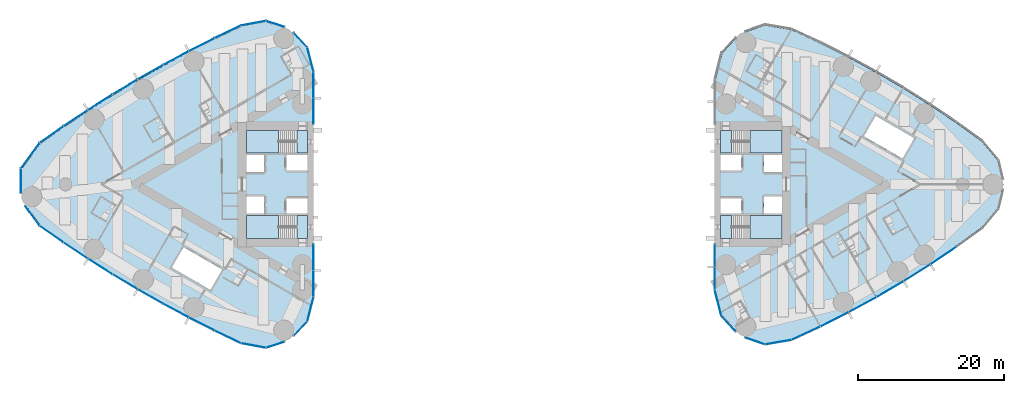
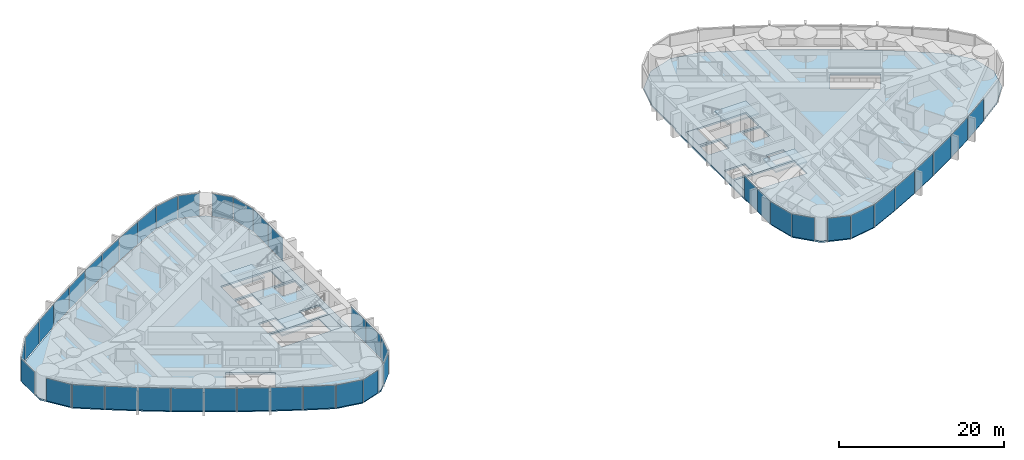
# One storey, part 10 of 19: 43 plates, 10 slabs, 10 elements without a shape of their own.
"""IFC4 building model written with IfcOpenShell, lengths in metres."""

from ifc_helpers import new_model, si_unit, direction, frame, origin, origin_2d, place, context, subcontext, project, spatial, polyline, rectangle, outline, extrude, material, layer, layer_set, type_object, element, aggregate, save


model = new_model("IFC4")

# Units and contexts
model_context = context("Model", 3, precision=1e-05, world=origin(), true_north=direction((0.0, 1.0)))
body_context = subcontext(model_context, "Body", "Model", "MODEL_VIEW")
ifc_project = project(units=[si_unit("LENGTHUNIT", "METRE"), si_unit("AREAUNIT", "SQUARE_METRE"), si_unit("VOLUMEUNIT", "CUBIC_METRE"), si_unit("PLANEANGLEUNIT", "RADIAN"), si_unit("MASSUNIT", "GRAM", prefix="KILO")], contexts=[model_context])

# Site, building, storey
site_placement = place(None, origin())
site = spatial("IfcSite", under=ifc_project, at=site_placement, CompositionType="ELEMENT")
building_placement = place(site_placement, origin())
building = spatial("IfcBuilding", under=site, at=building_placement, Name="Lancet Gate Hotel", CompositionType="ELEMENT")
storey_placement = place(building_placement, frame((0.0, 0.0, 194.800048828125)))
storey = spatial("IfcBuildingStorey", under=building, at=storey_placement, Name="L52", CompositionType="ELEMENT", Elevation=194.800048828125)

# Slabs
ifc_material_1 = material(Name="Concrete C50/60", Category="concrete")
ifc_layer_1 = layer(ifc_material_1, 0.25)
ifc_layer_set_1 = layer_set([ifc_layer_1], Name="Floor slab 250")
slab_type_1 = type_object("IfcSlabType", Name="Floor slab 250", PredefinedType="FLOOR", material=ifc_layer_set_1)
slab_1_placement = place(storey_placement, frame((0.0, 0.0, -0.25)))
element("IfcSlab", 1, at=slab_1_placement, inside=storey, type_object=slab_type_1, Name="T1 L52 floor slab", PredefinedType="FLOOR", context=body_context, shape_type="SweptSolid", body=[
    extrude(outline(polyline([(-27.5, 8.60009765625), (-27.6201171875, 8.60009765625), (-27.6201171875, 15.408203125), (-28.46923828125, 18.7265625), (-30.797607421875, 21.217529296875), (-34.0361328125, 22.283935546875), (-37.403564453125, 21.660400390625), (-40.996826171875, 19.9453125), (-44.561767578125, 18.139404296875), (-48.0830078125, 16.250244140625), (-51.558837890625, 14.27880859375), (-54.987548828125, 12.22607421875), (-58.366943359375, 10.09326171875), (-61.695068359375, 7.881591796875), (-64.955322265625, 5.602783203125), (-67.49560546875, 2.138427734375), (-67.49560546875, -2.138427734375), (-64.955322265625, -5.602783203125), (-61.695068359375, -7.881591796875), (-58.366943359375, -10.09326171875), (-54.987548828125, -12.22607421875), (-51.558837890625, -14.27880859375), (-48.0830078125, -16.250244140625), (-44.561767578125, -18.139404296875), (-40.996826171875, -19.9453125), (-37.403564453125, -21.660400390625), (-34.0361328125, -22.283935546875), (-30.797607421875, -21.217529296875), (-28.46923828125, -18.7265625), (-27.6201171875, -15.408203125), (-27.6201171875, -8.60009765625), (-27.5, -8.60009765625), (-27.5, -8.199951171875), (-27.5, 8.199951171875), (-27.5, 8.60009765625)]), holes=[polyline([(-36.699951171875, 7.39990234375), (-36.699951171875, 4.300048828125), (-28.300048828125, 4.300048828125), (-28.300048828125, 7.39990234375), (-36.699951171875, 7.39990234375)]), polyline([(-28.300048828125, 4.0), (-31.199951171875, 4.0), (-31.199951171875, 1.89990234375), (-28.300048828125, 1.89990234375), (-28.300048828125, 4.0)]), polyline([(-34.25, 4.0), (-36.699951171875, 4.0), (-36.699951171875, 1.64990234375), (-34.25, 1.64990234375), (-34.25, 4.0)]), polyline([(-36.699951171875, -1.64990234375), (-36.699951171875, -4.0), (-34.25, -4.0), (-34.25, -1.64990234375), (-36.699951171875, -1.64990234375)]), polyline([(-28.300048828125, -1.89990234375), (-31.199951171875, -1.89990234375), (-31.199951171875, -4.0), (-28.300048828125, -4.0), (-28.300048828125, -1.89990234375)]), polyline([(-28.300048828125, -4.300048828125), (-36.699951171875, -4.300048828125), (-36.699951171875, -7.39990234375), (-28.300048828125, -7.39990234375), (-28.300048828125, -4.300048828125)]), polyline([(-45.319091796875, -8.631103515625), (-46.9189453125, -11.402099609375), (-41.635986328125, -14.451904296875), (-40.035888671875, -11.680908203125), (-45.319091796875, -8.631103515625)])]), origin(), (0.0, 0.0, 1.0), 0.25),
])
slab_2_placement = place(storey_placement, frame((0.0, 0.0, -0.25)))
element("IfcSlab", 2, at=slab_2_placement, inside=storey, type_object=slab_type_1, Name="T2 L52 floor slab", PredefinedType="FLOOR", context=body_context, shape_type="SweptSolid", body=[
    extrude(outline(polyline([(27.5, -8.60009765625), (27.6201171875, -8.60009765625), (27.6201171875, -14.450439453125), (28.517822265625, -17.9853515625), (30.98291015625, -20.65185546875), (34.421875, -21.819091796875), (38.01513671875, -21.201171875), (41.9296875, -19.383056640625), (45.796875, -17.435302734375), (49.6005859375, -15.36572265625), (53.336669921875, -13.1767578125), (57.00146484375, -10.87060546875), (60.591552734375, -8.44921875), (64.092041015625, -5.9228515625), (66.283447265625, -3.307373046875), (67.06640625, 0.0), (66.283447265625, 3.307373046875), (64.092041015625, 5.9228515625), (60.591552734375, 8.44921875), (57.00146484375, 10.87060546875), (53.336669921875, 13.1767578125), (49.6005859375, 15.36572265625), (45.796875, 17.435302734375), (41.9296875, 19.383056640625), (38.01513671875, 21.201171875), (34.421875, 21.819091796875), (30.98291015625, 20.65185546875), (28.517822265625, 17.9853515625), (27.6201171875, 14.450439453125), (27.6201171875, 8.60009765625), (27.5, 8.60009765625), (27.5, 8.199951171875), (27.5, -8.199951171875), (27.5, -8.60009765625)]), holes=[polyline([(36.699951171875, -7.39990234375), (36.699951171875, -4.300048828125), (28.300048828125, -4.300048828125), (28.300048828125, -7.39990234375), (36.699951171875, -7.39990234375)]), polyline([(28.300048828125, -4.0), (31.199951171875, -4.0), (31.199951171875, -1.89990234375), (28.300048828125, -1.89990234375), (28.300048828125, -4.0)]), polyline([(34.25, -4.0), (36.699951171875, -4.0), (36.699951171875, -1.64990234375), (34.25, -1.64990234375), (34.25, -4.0)]), polyline([(36.699951171875, 1.64990234375), (36.699951171875, 4.0), (34.25, 4.0), (34.25, 1.64990234375), (36.699951171875, 1.64990234375)]), polyline([(28.300048828125, 1.89990234375), (31.199951171875, 1.89990234375), (31.199951171875, 4.0), (28.300048828125, 4.0), (28.300048828125, 1.89990234375)]), polyline([(28.300048828125, 4.300048828125), (36.699951171875, 4.300048828125), (36.699951171875, 7.39990234375), (28.300048828125, 7.39990234375), (28.300048828125, 4.300048828125)]), polyline([(53.242919921875, 3.555908203125), (54.843017578125, 6.326904296875), (49.56103515625, 9.376953125), (47.9609375, 6.60595703125), (53.242919921875, 3.555908203125)])]), origin(), (0.0, 0.0, 1.0), 0.25),
])

# Stair, slabs
ifc_material_2 = material(Name="Exit stair 20 risers 1500")
stair_type = type_object("IfcStairType", Name="Exit stair 20 risers 1500", PredefinedType="HALF_TURN_STAIR", material=ifc_material_2)
stair_1_placement = place(storey_placement, origin())
stair_1 = element("IfcStair", 3, at=stair_1_placement, inside=storey, type_object=stair_type, Name="T1 stair 1 L52", PredefinedType="HALF_TURN_STAIR")
ifc_material_3 = material(Name="Concrete C40/50", Category="concrete")
ifc_layer_2 = layer(ifc_material_3, 0.199951171875)
ifc_layer_set_2 = layer_set([ifc_layer_2], Name="Stair landing 200")
slab_type_2 = type_object("IfcSlabType", Name="Stair landing 200", PredefinedType="LANDING", material=ifc_layer_set_2)
slab_3_placement = place(storey_placement, frame((0.0, 0.0, -0.199951171875)))
slab_3 = element("IfcSlab", 4, at=slab_3_placement, type_object=slab_type_2, Name="ST1 landing 1", PredefinedType="LANDING", context=body_context, shape_type="SweptSolid", body=[
    extrude(outline(polyline([(-28.300048828125, 7.39990234375), (-29.800048828125, 7.39990234375), (-29.800048828125, 4.300048828125), (-28.300048828125, 4.300048828125), (-28.300048828125, 7.39990234375)])), origin(), (0.0, 0.0, 1.0), 0.199951171875),
])
slab_4_placement = place(storey_placement, frame((0.0, 0.0, 1.550048828125)))
slab_4 = element("IfcSlab", 5, at=slab_4_placement, type_object=slab_type_2, Name="ST1 landing 2", PredefinedType="LANDING", context=body_context, shape_type="SweptSolid", body=[
    extrude(outline(polyline([(-32.320068359375, 7.39990234375), (-36.699951171875, 7.39990234375), (-36.699951171875, 4.300048828125), (-32.320068359375, 4.300048828125), (-32.320068359375, 7.39990234375)])), origin(), (0.0, 0.0, 1.0), 0.199951171875),
])
aggregate(stair_1, [slab_3, slab_4])

stair_2_placement = place(storey_placement, origin())
stair_2 = element("IfcStair", 6, at=stair_2_placement, inside=storey, type_object=stair_type, Name="T1 stair 2 L52", PredefinedType="HALF_TURN_STAIR")
slab_5_placement = place(storey_placement, frame((0.0, 0.0, -0.199951171875)))
slab_5 = element("IfcSlab", 7, at=slab_5_placement, type_object=slab_type_2, Name="ST2 landing 1", PredefinedType="LANDING", context=body_context, shape_type="SweptSolid", body=[
    extrude(outline(polyline([(-28.300048828125, -4.300048828125), (-29.800048828125, -4.300048828125), (-29.800048828125, -7.39990234375), (-28.300048828125, -7.39990234375), (-28.300048828125, -4.300048828125)])), origin(), (0.0, 0.0, 1.0), 0.199951171875),
])
slab_6_placement = place(storey_placement, frame((0.0, 0.0, 1.550048828125)))
slab_6 = element("IfcSlab", 8, at=slab_6_placement, type_object=slab_type_2, Name="ST2 landing 2", PredefinedType="LANDING", context=body_context, shape_type="SweptSolid", body=[
    extrude(outline(polyline([(-32.320068359375, -4.300048828125), (-36.699951171875, -4.300048828125), (-36.699951171875, -7.39990234375), (-32.320068359375, -7.39990234375), (-32.320068359375, -4.300048828125)])), origin(), (0.0, 0.0, 1.0), 0.199951171875),
])
aggregate(stair_2, [slab_5, slab_6])

stair_3_placement = place(storey_placement, origin())
stair_3 = element("IfcStair", 9, at=stair_3_placement, inside=storey, type_object=stair_type, Name="T2 stair 1 L52", PredefinedType="HALF_TURN_STAIR")
slab_7_placement = place(storey_placement, frame((0.0, 0.0, -0.199951171875)))
slab_7 = element("IfcSlab", 10, at=slab_7_placement, type_object=slab_type_2, Name="ST3 landing 1", PredefinedType="LANDING", context=body_context, shape_type="SweptSolid", body=[
    extrude(outline(polyline([(28.300048828125, -7.39990234375), (29.800048828125, -7.39990234375), (29.800048828125, -4.300048828125), (28.300048828125, -4.300048828125), (28.300048828125, -7.39990234375)])), origin(), (0.0, 0.0, 1.0), 0.199951171875),
])
slab_8_placement = place(storey_placement, frame((0.0, 0.0, 1.550048828125)))
slab_8 = element("IfcSlab", 11, at=slab_8_placement, type_object=slab_type_2, Name="ST3 landing 2", PredefinedType="LANDING", context=body_context, shape_type="SweptSolid", body=[
    extrude(outline(polyline([(32.320068359375, -7.39990234375), (36.699951171875, -7.39990234375), (36.699951171875, -4.300048828125), (32.320068359375, -4.300048828125), (32.320068359375, -7.39990234375)])), origin(), (0.0, 0.0, 1.0), 0.199951171875),
])
aggregate(stair_3, [slab_7, slab_8])

stair_4_placement = place(storey_placement, origin())
stair_4 = element("IfcStair", 12, at=stair_4_placement, inside=storey, type_object=stair_type, Name="T2 stair 2 L52", PredefinedType="HALF_TURN_STAIR")
slab_9_placement = place(storey_placement, frame((0.0, 0.0, -0.199951171875)))
slab_9 = element("IfcSlab", 13, at=slab_9_placement, type_object=slab_type_2, Name="ST4 landing 1", PredefinedType="LANDING", context=body_context, shape_type="SweptSolid", body=[
    extrude(outline(polyline([(28.300048828125, 4.300048828125), (29.800048828125, 4.300048828125), (29.800048828125, 7.39990234375), (28.300048828125, 7.39990234375), (28.300048828125, 4.300048828125)])), origin(), (0.0, 0.0, 1.0), 0.199951171875),
])
slab_10_placement = place(storey_placement, frame((0.0, 0.0, 1.550048828125)))
slab_10 = element("IfcSlab", 14, at=slab_10_placement, type_object=slab_type_2, Name="ST4 landing 2", PredefinedType="LANDING", context=body_context, shape_type="SweptSolid", body=[
    extrude(outline(polyline([(32.320068359375, 4.300048828125), (36.699951171875, 4.300048828125), (36.699951171875, 7.39990234375), (32.320068359375, 7.39990234375), (32.320068359375, 4.300048828125)])), origin(), (0.0, 0.0, 1.0), 0.199951171875),
])
aggregate(stair_4, [slab_9, slab_10])

# Curtain wall, plates
ifc_material_4 = material(Name="Aluminium curtain wall", Category="aluminium")
curtain_wall_type = type_object("IfcCurtainWallType", Name="Tower unitised curtain wall", PredefinedType="USERDEFINED", material=ifc_material_4)
curtain_wall_1_placement = place(storey_placement, origin())
curtain_wall_1 = element("IfcCurtainWall", 15, at=curtain_wall_1_placement, inside=storey, type_object=curtain_wall_type, Name="T1 L52 curtain wall 1", ObjectType="UNITISED CURTAIN WALL", PredefinedType="USERDEFINED")
ifc_material_5 = material(Name="Glass double glazed unit 8-16-6", Category="glass")
ifc_layer_3 = layer(ifc_material_5, 0.030029296875)
ifc_layer_set_3 = layer_set([ifc_layer_3], Name="Vision panel double glazed")
plate_type = type_object("IfcPlateType", Name="Vision panel double glazed", PredefinedType="CURTAIN_PANEL", material=ifc_layer_set_3)
plate_1_placement = place(storey_placement, frame((-27.5, 10.005859375, 0.0), z_axis=(0.0, 0.0, 1.0), x_axis=(0.0, 1.0, 0.0)))
plate_1 = element("IfcPlate", 16, at=plate_1_placement, type_object=plate_type, Name="T1 L52 curtain wall 1 panel 1", PredefinedType="CURTAIN_PANEL", context=body_context, shape_type="SweptSolid", body=[
    extrude(rectangle(XDim=3.546630859375, YDim=0.030029296875, at=origin_2d()), origin(), (0.0, 0.0, 1.0), 3.35009765625),
])
plate_2_placement = place(storey_placement, frame((-27.5, 13.617431640625, 0.0), z_axis=(0.0, 0.0, 1.0), x_axis=(0.0, 1.0, 0.0)))
plate_2 = element("IfcPlate", 17, at=plate_2_placement, type_object=plate_type, Name="T1 L52 curtain wall 1 panel 2", PredefinedType="CURTAIN_PANEL", context=body_context, shape_type="SweptSolid", body=[
    extrude(rectangle(XDim=3.546630859375, YDim=0.030029296875, at=origin_2d()), origin(), (0.0, 0.0, 1.0), 3.35009765625),
])
plate_3_placement = place(storey_placement, frame((-27.930419921875, 17.104736328125, 0.0), z_axis=(0.0, 0.0, 1.0), x_axis=(-0.247936754654, 0.968776220647, 0.0)))
plate_3 = element("IfcPlate", 18, at=plate_3_placement, type_object=plate_type, Name="T1 L52 curtain wall 1 panel 3", PredefinedType="CURTAIN_PANEL", context=body_context, shape_type="SweptSolid", body=[
    extrude(rectangle(XDim=3.406005859375, YDim=0.030029296875, at=origin_2d()), origin(), (0.0, 0.0, 1.0), 3.35009765625),
])
plate_4_placement = place(storey_placement, frame((-29.28564453125, 19.77587890625, 0.0), z_axis=(0.0, 0.0, 1.0), x_axis=(-0.682844962172, 0.730563315282, 0.0)))
plate_4 = element("IfcPlate", 19, at=plate_4_placement, type_object=plate_type, Name="T1 L52 curtain wall 1 panel 4", PredefinedType="CURTAIN_PANEL", context=body_context, shape_type="SweptSolid", body=[
    extrude(rectangle(XDim=2.64453125, YDim=0.030029296875, at=origin_2d()), origin(), (0.0, 0.0, 1.0), 3.35009765625),
])
aggregate(curtain_wall_1, [plate_1, plate_2, plate_3, plate_4])

curtain_wall_2_placement = place(storey_placement, origin())
curtain_wall_2 = element("IfcCurtainWall", 20, at=curtain_wall_2_placement, inside=storey, type_object=curtain_wall_type, Name="T1 L52 curtain wall 2", ObjectType="UNITISED CURTAIN WALL", PredefinedType="USERDEFINED")
plate_5_placement = place(storey_placement, frame((-32.740234375, 21.983642578125, 0.0), z_axis=(0.0, 0.0, 1.0), x_axis=(-0.949848055084, 0.312711803827, 0.0)))
plate_5 = element("IfcPlate", 21, at=plate_5_placement, type_object=plate_type, Name="T1 L52 curtain wall 2 panel 1", PredefinedType="CURTAIN_PANEL", context=body_context, shape_type="SweptSolid", body=[
    extrude(rectangle(XDim=2.64599609375, YDim=0.030029296875, at=origin_2d()), origin(), (0.0, 0.0, 1.0), 3.35009765625),
])
plate_6_placement = place(storey_placement, frame((-35.734375, 22.091552734375, 0.0), z_axis=(0.0, 0.0, 1.0), x_axis=(-0.983292499426, -0.182032581075, 0.0)))
plate_6 = element("IfcPlate", 22, at=plate_6_placement, type_object=plate_type, Name="T1 L52 curtain wall 2 panel 2", PredefinedType="CURTAIN_PANEL", context=body_context, shape_type="SweptSolid", body=[
    extrude(rectangle(XDim=3.406005859375, YDim=0.030029296875, at=origin_2d()), origin(), (0.0, 0.0, 1.0), 3.35009765625),
])
plate_7_placement = place(storey_placement, frame((-39.245361328125, 20.914306640625, 0.0), z_axis=(0.0, 0.0, 1.0), x_axis=(-0.902453530018, -0.430787216799, 0.0)))
plate_7 = element("IfcPlate", 23, at=plate_7_placement, type_object=plate_type, Name="T1 L52 curtain wall 2 panel 3", PredefinedType="CURTAIN_PANEL", context=body_context, shape_type="SweptSolid", body=[
    extrude(rectangle(XDim=3.933837890625, YDim=0.030029296875, at=origin_2d()), origin(), (0.0, 0.0, 1.0), 3.35009765625),
])
plate_8_placement = place(storey_placement, frame((-42.83349609375, 19.1494140625, 0.0), z_axis=(0.0, 0.0, 1.0), x_axis=(-0.892071119911, -0.451895028762, 0.0)))
plate_8 = element("IfcPlate", 24, at=plate_8_placement, type_object=plate_type, Name="T1 L52 curtain wall 2 panel 4", PredefinedType="CURTAIN_PANEL", context=body_context, shape_type="SweptSolid", body=[
    extrude(rectangle(XDim=3.933837890625, YDim=0.030029296875, at=origin_2d()), origin(), (0.0, 0.0, 1.0), 3.35009765625),
])
plate_9_placement = place(storey_placement, frame((-46.379150390625, 17.300537109375, 0.0), z_axis=(0.0, 0.0, 1.0), x_axis=(-0.881195096384, -0.472752791751, 0.0)))
plate_9 = element("IfcPlate", 25, at=plate_9_placement, type_object=plate_type, Name="T1 L52 curtain wall 2 panel 5", PredefinedType="CURTAIN_PANEL", context=body_context, shape_type="SweptSolid", body=[
    extrude(rectangle(XDim=3.933837890625, YDim=0.030029296875, at=origin_2d()), origin(), (0.0, 0.0, 1.0), 3.35009765625),
])
plate_10_placement = place(storey_placement, frame((-49.880126953125, 15.368896484375, 0.0), z_axis=(0.0, 0.0, 1.0), x_axis=(-0.869831477496, -0.493348964484, 0.0)))
plate_10 = element("IfcPlate", 26, at=plate_10_placement, type_object=plate_type, Name="T1 L52 curtain wall 2 panel 6", PredefinedType="CURTAIN_PANEL", context=body_context, shape_type="SweptSolid", body=[
    extrude(rectangle(XDim=3.933837890625, YDim=0.030029296875, at=origin_2d()), origin(), (0.0, 0.0, 1.0), 3.35009765625),
])
plate_11_placement = place(storey_placement, frame((-53.3349609375, 13.35546875, 0.0), z_axis=(0.0, 0.0, 1.0), x_axis=(-0.857986551132, -0.51367215038, 0.0)))
plate_11 = element("IfcPlate", 27, at=plate_11_placement, type_object=plate_type, Name="T1 L52 curtain wall 2 panel 7", PredefinedType="CURTAIN_PANEL", context=body_context, shape_type="SweptSolid", body=[
    extrude(rectangle(XDim=3.933837890625, YDim=0.030029296875, at=origin_2d()), origin(), (0.0, 0.0, 1.0), 3.35009765625),
])
plate_12_placement = place(storey_placement, frame((-56.7412109375, 11.26123046875, 0.0), z_axis=(0.0, 0.0, 1.0), x_axis=(-0.845666871497, -0.533711103925, 0.0)))
plate_12 = element("IfcPlate", 28, at=plate_12_placement, type_object=plate_type, Name="T1 L52 curtain wall 2 panel 8", PredefinedType="CURTAIN_PANEL", context=body_context, shape_type="SweptSolid", body=[
    extrude(rectangle(XDim=3.933837890625, YDim=0.030029296875, at=origin_2d()), origin(), (0.0, 0.0, 1.0), 3.35009765625),
])
plate_13_placement = place(storey_placement, frame((-60.097412109375, 9.08740234375, 0.0), z_axis=(0.0, 0.0, 1.0), x_axis=(-0.832879255498, -0.553454736867, 0.0)))
plate_13 = element("IfcPlate", 29, at=plate_13_placement, type_object=plate_type, Name="T1 L52 curtain wall 2 panel 9", PredefinedType="CURTAIN_PANEL", context=body_context, shape_type="SweptSolid", body=[
    extrude(rectangle(XDim=3.933837890625, YDim=0.030029296875, at=origin_2d()), origin(), (0.0, 0.0, 1.0), 3.35009765625),
])
plate_14_placement = place(storey_placement, frame((-63.401611328125, 6.835205078125, 0.0), z_axis=(0.0, 0.0, 1.0), x_axis=(-0.819630778943, -0.572892124409, 0.0)))
plate_14 = element("IfcPlate", 30, at=plate_14_placement, type_object=plate_type, Name="T1 L52 curtain wall 2 panel 10", PredefinedType="CURTAIN_PANEL", context=body_context, shape_type="SweptSolid", body=[
    extrude(rectangle(XDim=3.933837890625, YDim=0.030029296875, at=origin_2d()), origin(), (0.0, 0.0, 1.0), 3.35009765625),
])
plate_15_placement = place(storey_placement, frame((-66.328125, 3.933837890625, 0.0), z_axis=(0.0, 0.0, 1.0), x_axis=(-0.591299785592, -0.806451835858, 0.0)))
plate_15 = element("IfcPlate", 31, at=plate_15_placement, type_object=plate_type, Name="T1 L52 curtain wall 2 panel 11", PredefinedType="CURTAIN_PANEL", context=body_context, shape_type="SweptSolid", body=[
    extrude(rectangle(XDim=4.290283203125, YDim=0.030029296875, at=origin_2d()), origin(), (0.0, 0.0, 1.0), 3.35009765625),
])
plate_16_placement = place(storey_placement, frame((-67.61572265625, 0.478515625, 0.0), z_axis=(0.0, 0.0, 1.0), x_axis=(0.0, -1.0, 0.0)))
plate_16 = element("IfcPlate", 32, at=plate_16_placement, type_object=plate_type, Name="T1 L52 curtain wall 2 panel 12", PredefinedType="CURTAIN_PANEL", context=body_context, shape_type="SweptSolid", body=[
    extrude(rectangle(XDim=3.333251953125, YDim=0.030029296875, at=origin_2d()), origin(), (0.0, 0.0, 1.0), 3.35009765625),
])
aggregate(curtain_wall_2, [plate_5, plate_6, plate_7, plate_8, plate_9, plate_10, plate_11, plate_12, plate_13, plate_14, plate_15, plate_16])

curtain_wall_3_placement = place(storey_placement, origin())
curtain_wall_3 = element("IfcCurtainWall", 33, at=curtain_wall_3_placement, inside=storey, type_object=curtain_wall_type, Name="T1 L52 curtain wall 3", ObjectType="UNITISED CURTAIN WALL", PredefinedType="USERDEFINED")
plate_17_placement = place(storey_placement, frame((-66.04541015625, -4.3193359375, 0.0), z_axis=(0.0, 0.0, 1.0), x_axis=(0.591299785592, -0.806451835858, 0.0)))
plate_17 = element("IfcPlate", 34, at=plate_17_placement, type_object=plate_type, Name="T1 L52 curtain wall 3 panel 1", PredefinedType="CURTAIN_PANEL", context=body_context, shape_type="SweptSolid", body=[
    extrude(rectangle(XDim=3.334228515625, YDim=0.030029296875, at=origin_2d()), origin(), (0.0, 0.0, 1.0), 3.35009765625),
])
plate_18_placement = place(storey_placement, frame((-63.401611328125, -6.835205078125, 0.0), z_axis=(0.0, 0.0, 1.0), x_axis=(0.819630778943, -0.572892124409, 0.0)))
plate_18 = element("IfcPlate", 35, at=plate_18_placement, type_object=plate_type, Name="T1 L52 curtain wall 3 panel 2", PredefinedType="CURTAIN_PANEL", context=body_context, shape_type="SweptSolid", body=[
    extrude(rectangle(XDim=3.933837890625, YDim=0.030029296875, at=origin_2d()), origin(), (0.0, 0.0, 1.0), 3.35009765625),
])
plate_19_placement = place(storey_placement, frame((-60.097412109375, -9.08740234375, 0.0), z_axis=(0.0, 0.0, 1.0), x_axis=(0.832879255498, -0.553454736867, 0.0)))
plate_19 = element("IfcPlate", 36, at=plate_19_placement, type_object=plate_type, Name="T1 L52 curtain wall 3 panel 3", PredefinedType="CURTAIN_PANEL", context=body_context, shape_type="SweptSolid", body=[
    extrude(rectangle(XDim=3.933837890625, YDim=0.030029296875, at=origin_2d()), origin(), (0.0, 0.0, 1.0), 3.35009765625),
])
plate_20_placement = place(storey_placement, frame((-56.7412109375, -11.26123046875, 0.0), z_axis=(0.0, 0.0, 1.0), x_axis=(0.845666871497, -0.533711103925, 0.0)))
plate_20 = element("IfcPlate", 37, at=plate_20_placement, type_object=plate_type, Name="T1 L52 curtain wall 3 panel 4", PredefinedType="CURTAIN_PANEL", context=body_context, shape_type="SweptSolid", body=[
    extrude(rectangle(XDim=3.933837890625, YDim=0.030029296875, at=origin_2d()), origin(), (0.0, 0.0, 1.0), 3.35009765625),
])
plate_21_placement = place(storey_placement, frame((-53.3349609375, -13.35546875, 0.0), z_axis=(0.0, 0.0, 1.0), x_axis=(0.857986551132, -0.51367215038, 0.0)))
plate_21 = element("IfcPlate", 38, at=plate_21_placement, type_object=plate_type, Name="T1 L52 curtain wall 3 panel 5", PredefinedType="CURTAIN_PANEL", context=body_context, shape_type="SweptSolid", body=[
    extrude(rectangle(XDim=3.933837890625, YDim=0.030029296875, at=origin_2d()), origin(), (0.0, 0.0, 1.0), 3.35009765625),
])
plate_22_placement = place(storey_placement, frame((-49.880126953125, -15.368896484375, 0.0), z_axis=(0.0, 0.0, 1.0), x_axis=(0.869831477496, -0.493348964484, 0.0)))
plate_22 = element("IfcPlate", 39, at=plate_22_placement, type_object=plate_type, Name="T1 L52 curtain wall 3 panel 6", PredefinedType="CURTAIN_PANEL", context=body_context, shape_type="SweptSolid", body=[
    extrude(rectangle(XDim=3.933837890625, YDim=0.030029296875, at=origin_2d()), origin(), (0.0, 0.0, 1.0), 3.35009765625),
])
plate_23_placement = place(storey_placement, frame((-46.379150390625, -17.300537109375, 0.0), z_axis=(0.0, 0.0, 1.0), x_axis=(0.881195096384, -0.472752791751, 0.0)))
plate_23 = element("IfcPlate", 40, at=plate_23_placement, type_object=plate_type, Name="T1 L52 curtain wall 3 panel 7", PredefinedType="CURTAIN_PANEL", context=body_context, shape_type="SweptSolid", body=[
    extrude(rectangle(XDim=3.933837890625, YDim=0.030029296875, at=origin_2d()), origin(), (0.0, 0.0, 1.0), 3.35009765625),
])
plate_24_placement = place(storey_placement, frame((-42.83349609375, -19.1494140625, 0.0), z_axis=(0.0, 0.0, 1.0), x_axis=(0.892071119911, -0.451895028762, 0.0)))
plate_24 = element("IfcPlate", 41, at=plate_24_placement, type_object=plate_type, Name="T1 L52 curtain wall 3 panel 8", PredefinedType="CURTAIN_PANEL", context=body_context, shape_type="SweptSolid", body=[
    extrude(rectangle(XDim=3.933837890625, YDim=0.030029296875, at=origin_2d()), origin(), (0.0, 0.0, 1.0), 3.35009765625),
])
plate_25_placement = place(storey_placement, frame((-39.245361328125, -20.914306640625, 0.0), z_axis=(0.0, 0.0, 1.0), x_axis=(0.902453530018, -0.430787216799, 0.0)))
plate_25 = element("IfcPlate", 42, at=plate_25_placement, type_object=plate_type, Name="T1 L52 curtain wall 3 panel 9", PredefinedType="CURTAIN_PANEL", context=body_context, shape_type="SweptSolid", body=[
    extrude(rectangle(XDim=3.933837890625, YDim=0.030029296875, at=origin_2d()), origin(), (0.0, 0.0, 1.0), 3.35009765625),
])
plate_26_placement = place(storey_placement, frame((-35.734375, -22.091552734375, 0.0), z_axis=(0.0, 0.0, 1.0), x_axis=(0.983292499426, -0.182032581075, 0.0)))
plate_26 = element("IfcPlate", 43, at=plate_26_placement, type_object=plate_type, Name="T1 L52 curtain wall 3 panel 10", PredefinedType="CURTAIN_PANEL", context=body_context, shape_type="SweptSolid", body=[
    extrude(rectangle(XDim=3.406005859375, YDim=0.030029296875, at=origin_2d()), origin(), (0.0, 0.0, 1.0), 3.35009765625),
])
plate_27_placement = place(storey_placement, frame((-32.740234375, -21.983642578125, 0.0), z_axis=(0.0, 0.0, 1.0), x_axis=(0.949848055084, 0.312711803827, 0.0)))
plate_27 = element("IfcPlate", 44, at=plate_27_placement, type_object=plate_type, Name="T1 L52 curtain wall 3 panel 11", PredefinedType="CURTAIN_PANEL", context=body_context, shape_type="SweptSolid", body=[
    extrude(rectangle(XDim=2.64599609375, YDim=0.030029296875, at=origin_2d()), origin(), (0.0, 0.0, 1.0), 3.35009765625),
])
aggregate(curtain_wall_3, [plate_17, plate_18, plate_19, plate_20, plate_21, plate_22, plate_23, plate_24, plate_25, plate_26, plate_27])

curtain_wall_4_placement = place(storey_placement, origin())
curtain_wall_4 = element("IfcCurtainWall", 45, at=curtain_wall_4_placement, inside=storey, type_object=curtain_wall_type, Name="T1 L52 curtain wall 4", ObjectType="UNITISED CURTAIN WALL", PredefinedType="USERDEFINED")
plate_28_placement = place(storey_placement, frame((-29.28564453125, -19.77587890625, 0.0), z_axis=(0.0, 0.0, 1.0), x_axis=(0.682844962172, 0.730563315282, 0.0)))
plate_28 = element("IfcPlate", 46, at=plate_28_placement, type_object=plate_type, Name="T1 L52 curtain wall 4 panel 1", PredefinedType="CURTAIN_PANEL", context=body_context, shape_type="SweptSolid", body=[
    extrude(rectangle(XDim=2.64453125, YDim=0.030029296875, at=origin_2d()), origin(), (0.0, 0.0, 1.0), 3.35009765625),
])
plate_29_placement = place(storey_placement, frame((-27.930419921875, -17.104736328125, 0.0), z_axis=(0.0, 0.0, 1.0), x_axis=(0.247936754654, 0.968776220647, 0.0)))
plate_29 = element("IfcPlate", 47, at=plate_29_placement, type_object=plate_type, Name="T1 L52 curtain wall 4 panel 2", PredefinedType="CURTAIN_PANEL", context=body_context, shape_type="SweptSolid", body=[
    extrude(rectangle(XDim=3.406005859375, YDim=0.030029296875, at=origin_2d()), origin(), (0.0, 0.0, 1.0), 3.35009765625),
])
plate_30_placement = place(storey_placement, frame((-27.5, -13.617431640625, 0.0), z_axis=(0.0, 0.0, 1.0), x_axis=(0.0, 1.0, 0.0)))
plate_30 = element("IfcPlate", 48, at=plate_30_placement, type_object=plate_type, Name="T1 L52 curtain wall 4 panel 3", PredefinedType="CURTAIN_PANEL", context=body_context, shape_type="SweptSolid", body=[
    extrude(rectangle(XDim=3.546630859375, YDim=0.030029296875, at=origin_2d()), origin(), (0.0, 0.0, 1.0), 3.35009765625),
])
plate_31_placement = place(storey_placement, frame((-27.5, -10.005859375, 0.0), z_axis=(0.0, 0.0, 1.0), x_axis=(0.0, 1.0, 0.0)))
plate_31 = element("IfcPlate", 49, at=plate_31_placement, type_object=plate_type, Name="T1 L52 curtain wall 4 panel 4", PredefinedType="CURTAIN_PANEL", context=body_context, shape_type="SweptSolid", body=[
    extrude(rectangle(XDim=3.546630859375, YDim=0.030029296875, at=origin_2d()), origin(), (0.0, 0.0, 1.0), 3.35009765625),
])
aggregate(curtain_wall_4, [plate_28, plate_29, plate_30, plate_31])

curtain_wall_5_placement = place(storey_placement, origin())
curtain_wall_5 = element("IfcCurtainWall", 50, at=curtain_wall_5_placement, inside=storey, type_object=curtain_wall_type, Name="T2 L52 curtain wall 1", ObjectType="UNITISED CURTAIN WALL", PredefinedType="USERDEFINED")
plate_32_placement = place(storey_placement, frame((27.5, -9.766357421875, 0.0), z_axis=(0.0, 0.0, 1.0), x_axis=(0.0, -1.0, 0.0)))
plate_32 = element("IfcPlate", 51, at=plate_32_placement, type_object=plate_type, Name="T2 L52 curtain wall 1 panel 1", PredefinedType="CURTAIN_PANEL", context=body_context, shape_type="SweptSolid", body=[
    extrude(rectangle(XDim=3.06787109375, YDim=0.030029296875, at=origin_2d()), origin(), (0.0, 0.0, 1.0), 3.35009765625),
])
plate_33_placement = place(storey_placement, frame((27.5, -12.899169921875, 0.0), z_axis=(0.0, 0.0, 1.0), x_axis=(0.0, -1.0, 0.0)))
plate_33 = element("IfcPlate", 52, at=plate_33_placement, type_object=plate_type, Name="T2 L52 curtain wall 1 panel 2", PredefinedType="CURTAIN_PANEL", context=body_context, shape_type="SweptSolid", body=[
    extrude(rectangle(XDim=3.06787109375, YDim=0.030029296875, at=origin_2d()), origin(), (0.0, 0.0, 1.0), 3.35009765625),
])
plate_34_placement = place(storey_placement, frame((27.95458984375, -16.2548828125, 0.0), z_axis=(0.0, 0.0, 1.0), x_axis=(0.246166705764, -0.969227503207, 0.0)))
plate_34 = element("IfcPlate", 53, at=plate_34_placement, type_object=plate_type, Name="T2 L52 curtain wall 1 panel 3", PredefinedType="CURTAIN_PANEL", context=body_context, shape_type="SweptSolid", body=[
    extrude(rectangle(XDim=3.62744140625, YDim=0.030029296875, at=origin_2d()), origin(), (0.0, 0.0, 1.0), 3.35009765625),
])
plate_35_placement = place(storey_placement, frame((29.4052734375, -19.122314453125, 0.0), z_axis=(0.0, 0.0, 1.0), x_axis=(0.67883123083, -0.734294327943, 0.0)))
plate_35 = element("IfcPlate", 54, at=plate_35_placement, type_object=plate_type, Name="T2 L52 curtain wall 1 panel 4", PredefinedType="CURTAIN_PANEL", context=body_context, shape_type="SweptSolid", body=[
    extrude(rectangle(XDim=2.87060546875, YDim=0.030029296875, at=origin_2d()), origin(), (0.0, 0.0, 1.0), 3.35009765625),
])
aggregate(curtain_wall_5, [plate_32, plate_33, plate_34, plate_35])

curtain_wall_6_placement = place(storey_placement, origin())
curtain_wall_6 = element("IfcCurtainWall", 55, at=curtain_wall_6_placement, inside=storey, type_object=curtain_wall_type, Name="T2 L52 curtain wall 2", ObjectType="UNITISED CURTAIN WALL", PredefinedType="USERDEFINED")
plate_36_placement = place(storey_placement, frame((33.02197265625, -21.470703125, 0.0), z_axis=(0.0, 0.0, 1.0), x_axis=(0.946952368511, -0.321373943827, 0.0)))
plate_36 = element("IfcPlate", 56, at=plate_36_placement, type_object=plate_type, Name="T2 L52 curtain wall 2 panel 1", PredefinedType="CURTAIN_PANEL", context=body_context, shape_type="SweptSolid", body=[
    extrude(rectangle(XDim=2.871337890625, YDim=0.030029296875, at=origin_2d()), origin(), (0.0, 0.0, 1.0), 3.35009765625),
])
plate_37_placement = place(storey_placement, frame((36.231689453125, -21.629638671875, 0.0), z_axis=(0.0, 0.0, 1.0), x_axis=(0.985539649572, 0.169444973729, 0.0)))
plate_37 = element("IfcPlate", 57, at=plate_37_placement, type_object=plate_type, Name="T2 L52 curtain wall 2 panel 2", PredefinedType="CURTAIN_PANEL", context=body_context, shape_type="SweptSolid", body=[
    extrude(rectangle(XDim=3.62744140625, YDim=0.030029296875, at=origin_2d()), origin(), (0.0, 0.0, 1.0), 3.35009765625),
])
plate_38_placement = place(storey_placement, frame((40.0166015625, -20.40380859375, 0.0), z_axis=(0.0, 0.0, 1.0), x_axis=(0.906934888522, 0.421270824982, 0.0)))
plate_38 = element("IfcPlate", 58, at=plate_38_placement, type_object=plate_type, Name="T2 L52 curtain wall 2 panel 3", PredefinedType="CURTAIN_PANEL", context=body_context, shape_type="SweptSolid", body=[
    extrude(rectangle(XDim=4.26904296875, YDim=0.030029296875, at=origin_2d()), origin(), (0.0, 0.0, 1.0), 3.35009765625),
])
plate_39_placement = place(storey_placement, frame((43.917236328125, -18.516357421875, 0.0), z_axis=(0.0, 0.0, 1.0), x_axis=(0.893121465596, 0.449815570752, 0.0)))
plate_39 = element("IfcPlate", 59, at=plate_39_placement, type_object=plate_type, Name="T2 L52 curtain wall 2 panel 4", PredefinedType="CURTAIN_PANEL", context=body_context, shape_type="SweptSolid", body=[
    extrude(rectangle(XDim=4.26904296875, YDim=0.030029296875, at=origin_2d()), origin(), (0.0, 0.0, 1.0), 3.35009765625),
])
plate_40_placement = place(storey_placement, frame((47.756103515625, -16.505859375, 0.0), z_axis=(0.0, 0.0, 1.0), x_axis=(0.878409907967, 0.477907976063, 0.0)))
plate_40 = element("IfcPlate", 60, at=plate_40_placement, type_object=plate_type, Name="T2 L52 curtain wall 2 panel 5", PredefinedType="CURTAIN_PANEL", context=body_context, shape_type="SweptSolid", body=[
    extrude(rectangle(XDim=4.26904296875, YDim=0.030029296875, at=origin_2d()), origin(), (0.0, 0.0, 1.0), 3.35009765625),
])
plate_41_placement = place(storey_placement, frame((51.529296875, -14.374755859375, 0.0), z_axis=(0.0, 0.0, 1.0), x_axis=(0.862815009772, 0.505519790822, 0.0)))
plate_41 = element("IfcPlate", 61, at=plate_41_placement, type_object=plate_type, Name="T2 L52 curtain wall 2 panel 6", PredefinedType="CURTAIN_PANEL", context=body_context, shape_type="SweptSolid", body=[
    extrude(rectangle(XDim=4.26904296875, YDim=0.030029296875, at=origin_2d()), origin(), (0.0, 0.0, 1.0), 3.35009765625),
])
plate_42_placement = place(storey_placement, frame((55.233154296875, -12.125244140625, 0.0), z_axis=(0.0, 0.0, 1.0), x_axis=(0.846352453444, 0.532623248225, 0.0)))
plate_42 = element("IfcPlate", 62, at=plate_42_placement, type_object=plate_type, Name="T2 L52 curtain wall 2 panel 7", PredefinedType="CURTAIN_PANEL", context=body_context, shape_type="SweptSolid", body=[
    extrude(rectangle(XDim=4.26904296875, YDim=0.030029296875, at=origin_2d()), origin(), (0.0, 0.0, 1.0), 3.35009765625),
])
plate_43_placement = place(storey_placement, frame((58.863525390625, -9.75927734375, 0.0), z_axis=(0.0, 0.0, 1.0), x_axis=(0.829038793948, 0.559191092677, 0.0)))
plate_43 = element("IfcPlate", 63, at=plate_43_placement, type_object=plate_type, Name="T2 L52 curtain wall 2 panel 8", PredefinedType="CURTAIN_PANEL", context=body_context, shape_type="SweptSolid", body=[
    extrude(rectangle(XDim=4.26904296875, YDim=0.030029296875, at=origin_2d()), origin(), (0.0, 0.0, 1.0), 3.35009765625),
])
aggregate(curtain_wall_6, [plate_36, plate_37, plate_38, plate_39, plate_40, plate_41, plate_42, plate_43])

save(model, "model.ifc")
